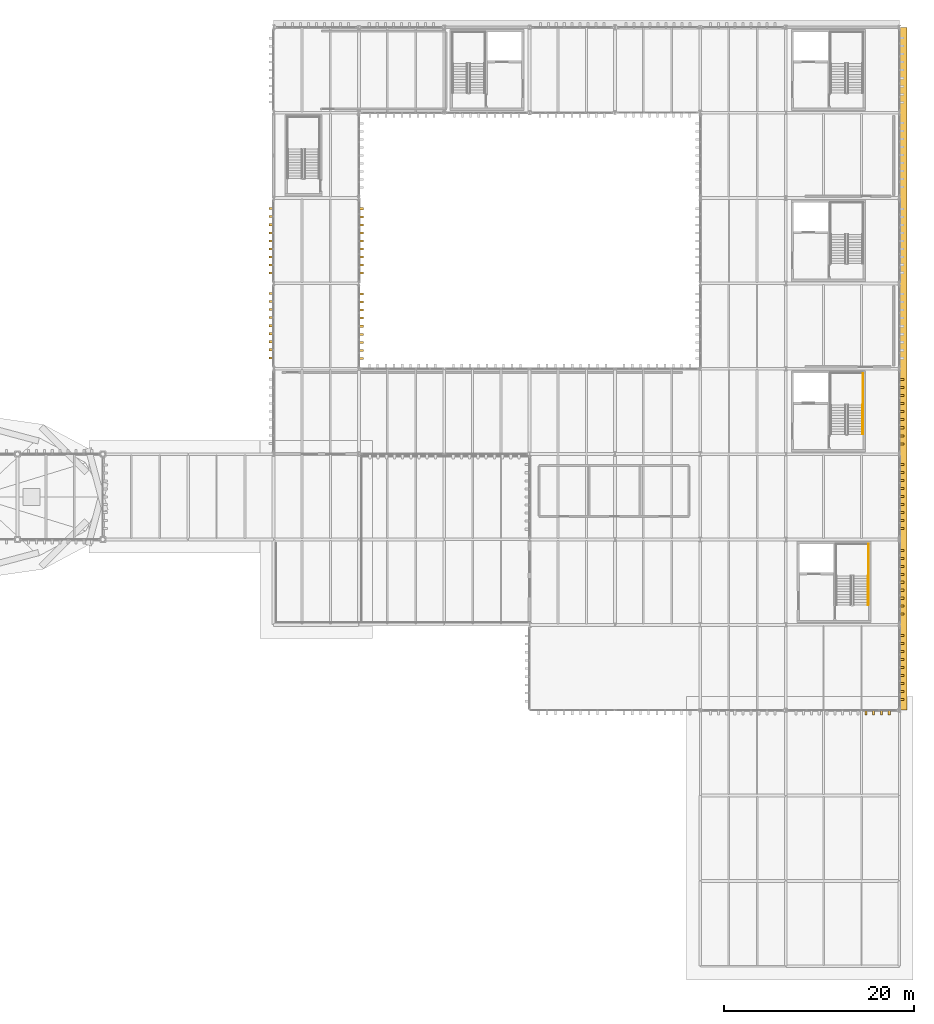
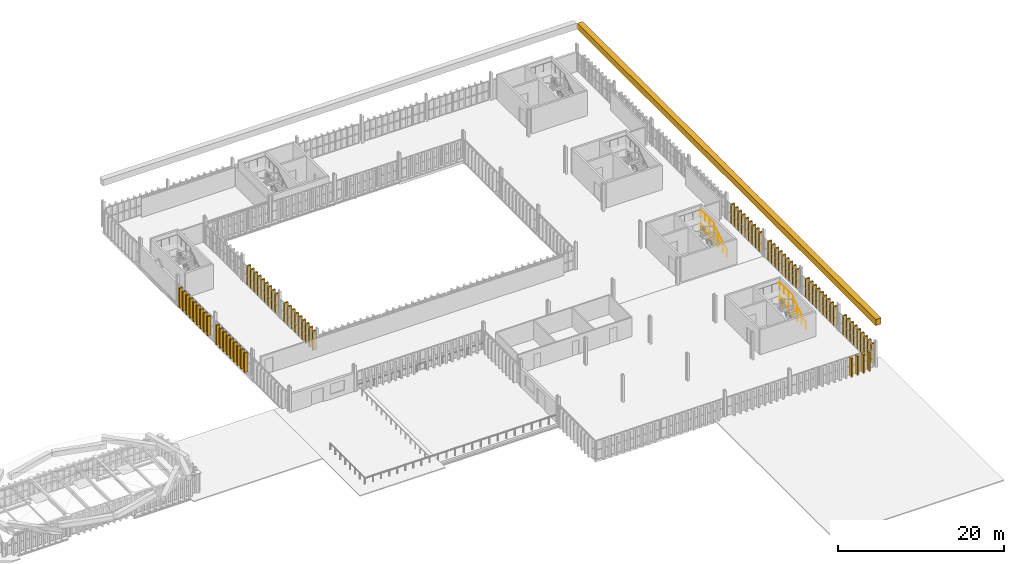
# One storey, part 98 of 102: 76 shading devices, 6 railings, 1 covering.
"""IFC4 building model written with IfcOpenShell, lengths in metres."""

from ifc_helpers import new_model, si_unit, direction, frame, origin, origin_2d, place, context, subcontext, project, spatial, rectangle, circle, extrude, material, layer, layer_set, type_object, element, save


model = new_model("IFC4")

# Units and contexts
model_context = context("Model", 3, precision=1e-05, world=origin(), true_north=direction((0.0, 1.0)))
body_context = subcontext(model_context, "Body", "Model", "MODEL_VIEW")
ifc_project = project(units=[si_unit("LENGTHUNIT", "METRE"), si_unit("AREAUNIT", "SQUARE_METRE"), si_unit("VOLUMEUNIT", "CUBIC_METRE"), si_unit("PLANEANGLEUNIT", "RADIAN"), si_unit("MASSUNIT", "GRAM", prefix="KILO")], contexts=[model_context])

# Site, building, storey
site_placement = place(None, origin())
site = spatial("IfcSite", under=ifc_project, at=site_placement, CompositionType="ELEMENT")
building_placement = place(site_placement, origin())
building = spatial("IfcBuilding", under=site, at=building_placement, Name="Barlavento Convention Centre", CompositionType="ELEMENT")
storey_placement = place(building_placement, frame((0.0, 0.0, 22.800048828125)))
storey = spatial("IfcBuildingStorey", under=building, at=storey_placement, Name="L04", CompositionType="ELEMENT", Elevation=22.800048828125)

# Covering
ifc_material_1 = material(Name="Macau dark grey granite cladding", Category="masonry")
ifc_layer = layer(ifc_material_1, 0.050048828125)
ifc_layer_set = layer_set([ifc_layer], Name="ARC-COV-CLAD-GRANITE")
covering_type = type_object("IfcCoveringType", Name="ARC-COV-CLAD-GRANITE", PredefinedType="CLADDING", material=ifc_layer_set)
covering_placement = place(storey_placement, frame((192.39990234375, 63.0, 6.10009765625), z_axis=(0.0, 0.0, 1.0), x_axis=(1.0, 0.0, 0.0)))
element("IfcCovering", 1, at=covering_placement, inside=storey, type_object=covering_type, Name="Postmodern stepped stone cornice band CLD01", PredefinedType="CLADDING", context=body_context, shape_type="SweptSolid", body=[
    extrude(rectangle(XDim=0.75, YDim=72.0, at=origin_2d()), origin(), (0.0, 0.0, 1.0), 0.89990234375),
])

# Railings
ifc_material_2 = material(Name="Stainless steel and laminated glass balustrade", Category="steel")
railing_type_1 = type_object("IfcRailingType", Name="ARC-RAL-BAL-1100", PredefinedType="BALUSTRADE", material=ifc_material_2)
railing_1_placement = place(storey_placement, frame((188.14990234375, 59.169921875, 2.0)))
element("IfcRailing", 2, at=railing_1_placement, inside=storey, type_object=railing_type_1, Name="L04 landing guard GR01", PredefinedType="BALUSTRADE", context=body_context, shape_type="SweptSolid", body=[
    extrude(circle(Radius=0.02392578125, at=origin_2d()), frame((0.0, 0.0, 1.076171875), z_axis=(0.0, 1.0, 0.0), x_axis=(-1.0, 0.0, 0.0)), (0.0, 0.0, 1.0), 3.360107421875),
    extrude(circle(Radius=0.02099609375, at=origin_2d()), origin(), (0.0, 0.0, 1.0), 1.052001953125),
    extrude(circle(Radius=0.02099609375, at=origin_2d()), frame((0.0, 1.1201171875, 0.0)), (0.0, 0.0, 1.0), 1.052001953125),
    extrude(circle(Radius=0.02099609375, at=origin_2d()), frame((0.0, 2.239990234375, 0.0)), (0.0, 0.0, 1.0), 1.052001953125),
    extrude(circle(Radius=0.02099609375, at=origin_2d()), frame((0.0, 3.360107421875, 0.0)), (0.0, 0.0, 1.0), 1.052001953125),
])
railing_2_placement = place(storey_placement, frame((188.14990234375, 56.114990234375, 0.0)))
element("IfcRailing", 3, at=railing_2_placement, inside=storey, type_object=railing_type_1, Name="L04 stairwell perimeter guard GR01", PredefinedType="BALUSTRADE", context=body_context, shape_type="SweptSolid", body=[
    extrude(circle(Radius=0.02392578125, at=origin_2d()), frame((0.0, 0.0, 1.076171875), z_axis=(0.0, 1.0, 0.0), x_axis=(-1.0, 0.0, 0.0)), (0.0, 0.0, 1.0), 6.4150390625),
    extrude(circle(Radius=0.02099609375, at=origin_2d()), origin(), (0.0, 0.0, 1.0), 1.052001953125),
    extrude(circle(Radius=0.02099609375, at=origin_2d()), frame((0.0, 1.069091796875, 0.0)), (0.0, 0.0, 1.0), 1.052001953125),
    extrude(circle(Radius=0.02099609375, at=origin_2d()), frame((0.0, 2.138427734375, 0.0)), (0.0, 0.0, 1.0), 1.052001953125),
    extrude(circle(Radius=0.02099609375, at=origin_2d()), frame((0.0, 3.20751953125, 0.0)), (0.0, 0.0, 1.0), 1.052001953125),
    extrude(circle(Radius=0.02099609375, at=origin_2d()), frame((0.0, 4.276611328125, 0.0)), (0.0, 0.0, 1.0), 1.052001953125),
    extrude(circle(Radius=0.02099609375, at=origin_2d()), frame((0.0, 5.345947265625, 0.0)), (0.0, 0.0, 1.0), 1.052001953125),
    extrude(circle(Radius=0.02099609375, at=origin_2d()), frame((0.0, 6.4150390625, 0.0)), (0.0, 0.0, 1.0), 1.052001953125),
])
railing_3_placement = place(storey_placement, frame((188.75, 41.169921875, 2.0)))
element("IfcRailing", 4, at=railing_3_placement, inside=storey, type_object=railing_type_1, Name="L04 landing guard GR01", PredefinedType="BALUSTRADE", context=body_context, shape_type="SweptSolid", body=[
    extrude(circle(Radius=0.02392578125, at=origin_2d()), frame((0.0, 0.0, 1.076171875), z_axis=(0.0, 1.0, 0.0), x_axis=(-1.0, 0.0, 0.0)), (0.0, 0.0, 1.0), 3.360107421875),
    extrude(circle(Radius=0.02099609375, at=origin_2d()), origin(), (0.0, 0.0, 1.0), 1.052001953125),
    extrude(circle(Radius=0.02099609375, at=origin_2d()), frame((0.0, 1.1201171875, 0.0)), (0.0, 0.0, 1.0), 1.052001953125),
    extrude(circle(Radius=0.02099609375, at=origin_2d()), frame((0.0, 2.239990234375, 0.0)), (0.0, 0.0, 1.0), 1.052001953125),
    extrude(circle(Radius=0.02099609375, at=origin_2d()), frame((0.0, 3.360107421875, 0.0)), (0.0, 0.0, 1.0), 1.052001953125),
])
railing_4_placement = place(storey_placement, frame((188.75, 38.114990234375, 0.0)))
element("IfcRailing", 5, at=railing_4_placement, inside=storey, type_object=railing_type_1, Name="L04 stairwell perimeter guard GR01", PredefinedType="BALUSTRADE", context=body_context, shape_type="SweptSolid", body=[
    extrude(circle(Radius=0.02392578125, at=origin_2d()), frame((0.0, 0.0, 1.076171875), z_axis=(0.0, 1.0, 0.0), x_axis=(-1.0, 0.0, 0.0)), (0.0, 0.0, 1.0), 6.4150390625),
    extrude(circle(Radius=0.02099609375, at=origin_2d()), origin(), (0.0, 0.0, 1.0), 1.052001953125),
    extrude(circle(Radius=0.02099609375, at=origin_2d()), frame((0.0, 1.069091796875, 0.0)), (0.0, 0.0, 1.0), 1.052001953125),
    extrude(circle(Radius=0.02099609375, at=origin_2d()), frame((0.0, 2.138427734375, 0.0)), (0.0, 0.0, 1.0), 1.052001953125),
    extrude(circle(Radius=0.02099609375, at=origin_2d()), frame((0.0, 3.20751953125, 0.0)), (0.0, 0.0, 1.0), 1.052001953125),
    extrude(circle(Radius=0.02099609375, at=origin_2d()), frame((0.0, 4.276611328125, 0.0)), (0.0, 0.0, 1.0), 1.052001953125),
    extrude(circle(Radius=0.02099609375, at=origin_2d()), frame((0.0, 5.345947265625, 0.0)), (0.0, 0.0, 1.0), 1.052001953125),
    extrude(circle(Radius=0.02099609375, at=origin_2d()), frame((0.0, 6.4150390625, 0.0)), (0.0, 0.0, 1.0), 1.052001953125),
])
ifc_material_3 = material(Name="Brushed stainless steel tubular handrail", Category="steel")
railing_type_2 = type_object("IfcRailingType", Name="ARC-RAL-HR-900", PredefinedType="HANDRAIL", material=ifc_material_3)
for number, where, name in (
    (6, (188.10009765625, 56.090087890625, 0.16650390625), "L04 ST05 stair handrail 1"),
    (7, (188.699951171875, 38.090087890625, 0.16650390625), "L04 ST06 stair handrail 1"),
):
    element("IfcRailing", number, at=place(storey_placement, frame(where)), inside=storey, type_object=railing_type_2, Name=name, PredefinedType="HANDRAIL", context=body_context, shape_type="SweptSolid", body=[
        extrude(circle(Radius=0.02392578125, at=origin_2d()), frame((0.0, 0.0, 0.8759765625), z_axis=(0.0, 0.859260807169, 0.511537745687), x_axis=(-1.0, 0.0, 0.0)), (0.0, 0.0, 1.0), 3.584228515625),
        extrude(circle(Radius=0.02099609375, at=origin_2d()), origin(), (0.0, 0.0, 1.0), 0.851806640625),
        extrude(circle(Radius=0.02099609375, at=origin_2d()), frame((0.0, 1.026611328125, 0.611083984375)), (0.0, 0.0, 1.0), 0.851806640625),
        extrude(circle(Radius=0.02099609375, at=origin_2d()), frame((0.0, 2.05322265625, 1.222412109375)), (0.0, 0.0, 1.0), 0.851806640625),
        extrude(circle(Radius=0.02099609375, at=origin_2d()), frame((0.0, 3.079833984375, 1.83349609375)), (0.0, 0.0, 1.0), 0.851806640625),
    ])

# Shading devices
ifc_material_4 = material(Name="PVDF white extruded aluminium", Category="aluminium")
shading_device_type = type_object("IfcShadingDeviceType", Name="ARC-SHD-FIN-480", PredefinedType="USERDEFINED", material=ifc_material_4)
for number, where, z_axis, x_axis, name in (
    (8, (192.239990234375, 28.10546875, 0.0), (0.0, 0.0, 1.0), (0.0, 1.0, 0.0), "White vertical solar shading fin VF01"),
    (9, (192.239990234375, 28.950927734375, 0.0), (0.0, 0.0, 1.0), (0.0, 1.0, 0.0), "White vertical solar shading fin VF01"),
    (10, (192.239990234375, 29.79638671875, 0.0), (0.0, 0.0, 1.0), (0.0, 1.0, 0.0), "White vertical solar shading fin VF01"),
    (11, (192.239990234375, 30.64208984375, 0.0), (0.0, 0.0, 1.0), (0.0, 1.0, 0.0), "White vertical solar shading fin VF01"),
    (12, (192.239990234375, 31.487548828125, 0.0), (0.0, 0.0, 1.0), (0.0, 1.0, 0.0), "White vertical solar shading fin VF01"),
    (13, (192.239990234375, 32.3330078125, 0.0), (0.0, 0.0, 1.0), (0.0, 1.0, 0.0), "White vertical solar shading fin VF01"),
    (14, (192.239990234375, 33.178466796875, 0.0), (0.0, 0.0, 1.0), (0.0, 1.0, 0.0), "White vertical solar shading fin VF01"),
    (15, (192.239990234375, 34.02392578125, 0.0), (0.0, 0.0, 1.0), (0.0, 1.0, 0.0), "White vertical solar shading fin VF01"),
    (16, (192.239990234375, 34.869384765625, 0.0), (0.0, 0.0, 1.0), (0.0, 1.0, 0.0), "White vertical solar shading fin VF01"),
    (17, (192.239990234375, 37.12548828125, 0.0), (0.0, 0.0, 1.0), (0.0, 1.0, 0.0), "White vertical solar shading fin VF01"),
    (18, (192.239990234375, 37.966064453125, 0.0), (0.0, 0.0, 1.0), (0.0, 1.0, 0.0), "White vertical solar shading fin VF01"),
    (19, (192.239990234375, 38.806396484375, 0.0), (0.0, 0.0, 1.0), (0.0, 1.0, 0.0), "White vertical solar shading fin VF01"),
    (20, (192.239990234375, 39.64697265625, 0.0), (0.0, 0.0, 1.0), (0.0, 1.0, 0.0), "White vertical solar shading fin VF01"),
    (21, (192.239990234375, 40.487548828125, 0.0), (0.0, 0.0, 1.0), (0.0, 1.0, 0.0), "White vertical solar shading fin VF01"),
    (22, (192.239990234375, 41.327880859375, 0.0), (0.0, 0.0, 1.0), (0.0, 1.0, 0.0), "White vertical solar shading fin VF01"),
    (23, (192.239990234375, 42.16845703125, 0.0), (0.0, 0.0, 1.0), (0.0, 1.0, 0.0), "White vertical solar shading fin VF01"),
    (24, (192.239990234375, 43.009033203125, 0.0), (0.0, 0.0, 1.0), (0.0, 1.0, 0.0), "White vertical solar shading fin VF01"),
    (25, (192.239990234375, 43.849609375, 0.0), (0.0, 0.0, 1.0), (0.0, 1.0, 0.0), "White vertical solar shading fin VF01"),
    (26, (192.239990234375, 46.156005859375, 0.0), (0.0, 0.0, 1.0), (0.0, 1.0, 0.0), "White vertical solar shading fin VF01"),
    (27, (192.239990234375, 47.001953125, 0.0), (0.0, 0.0, 1.0), (0.0, 1.0, 0.0), "White vertical solar shading fin VF01"),
    (28, (192.239990234375, 47.847900390625, 0.0), (0.0, 0.0, 1.0), (0.0, 1.0, 0.0), "White vertical solar shading fin VF01"),
    (29, (192.239990234375, 48.694091796875, 0.0), (0.0, 0.0, 1.0), (0.0, 1.0, 0.0), "White vertical solar shading fin VF01"),
    (30, (192.239990234375, 49.5400390625, 0.0), (0.0, 0.0, 1.0), (0.0, 1.0, 0.0), "White vertical solar shading fin VF01"),
    (31, (192.239990234375, 50.385986328125, 0.0), (0.0, 0.0, 1.0), (0.0, 1.0, 0.0), "White vertical solar shading fin VF01"),
    (32, (192.239990234375, 51.23193359375, 0.0), (0.0, 0.0, 1.0), (0.0, 1.0, 0.0), "White vertical solar shading fin VF01"),
    (33, (192.239990234375, 52.077880859375, 0.0), (0.0, 0.0, 1.0), (0.0, 1.0, 0.0), "White vertical solar shading fin VF01"),
    (34, (192.239990234375, 52.924072265625, 0.0), (0.0, 0.0, 1.0), (0.0, 1.0, 0.0), "White vertical solar shading fin VF01"),
    (35, (192.239990234375, 55.0810546875, 0.0), (0.0, 0.0, 1.0), (0.0, 1.0, 0.0), "White vertical solar shading fin VF01"),
    (36, (192.239990234375, 55.931884765625, 0.0), (0.0, 0.0, 1.0), (0.0, 1.0, 0.0), "White vertical solar shading fin VF01"),
    (37, (192.239990234375, 56.782958984375, 0.0), (0.0, 0.0, 1.0), (0.0, 1.0, 0.0), "White vertical solar shading fin VF01"),
    (38, (192.239990234375, 57.634033203125, 0.0), (0.0, 0.0, 1.0), (0.0, 1.0, 0.0), "White vertical solar shading fin VF01"),
    (39, (192.239990234375, 58.485107421875, 0.0), (0.0, 0.0, 1.0), (0.0, 1.0, 0.0), "White vertical solar shading fin VF01"),
    (40, (192.239990234375, 59.3359375, 0.0), (0.0, 0.0, 1.0), (0.0, 1.0, 0.0), "White vertical solar shading fin VF01"),
    (41, (192.239990234375, 60.18701171875, 0.0), (0.0, 0.0, 1.0), (0.0, 1.0, 0.0), "White vertical solar shading fin VF01"),
    (42, (192.239990234375, 61.0380859375, 0.0), (0.0, 0.0, 1.0), (0.0, 1.0, 0.0), "White vertical solar shading fin VF01"),
    (43, (192.239990234375, 61.888916015625, 0.0), (0.0, 0.0, 1.0), (0.0, 1.0, 0.0), "White vertical solar shading fin VF01"),
    (44, (135.239990234375, 64.0810546875, 0.0), (0.0, 0.0, 1.0), (0.0, 1.0, 0.0), "White vertical solar shading fin VF01"),
    (45, (135.239990234375, 64.931884765625, 0.0), (0.0, 0.0, 1.0), (0.0, 1.0, 0.0), "White vertical solar shading fin VF01"),
    (46, (135.239990234375, 65.782958984375, 0.0), (0.0, 0.0, 1.0), (0.0, 1.0, 0.0), "White vertical solar shading fin VF01"),
    (47, (135.239990234375, 66.634033203125, 0.0), (0.0, 0.0, 1.0), (0.0, 1.0, 0.0), "White vertical solar shading fin VF01"),
    (48, (135.239990234375, 67.485107421875, 0.0), (0.0, 0.0, 1.0), (0.0, 1.0, 0.0), "White vertical solar shading fin VF01"),
    (49, (135.239990234375, 68.3359375, 0.0), (0.0, 0.0, 1.0), (0.0, 1.0, 0.0), "White vertical solar shading fin VF01"),
    (50, (135.239990234375, 69.18701171875, 0.0), (0.0, 0.0, 1.0), (0.0, 1.0, 0.0), "White vertical solar shading fin VF01"),
    (51, (135.239990234375, 70.0380859375, 0.0), (0.0, 0.0, 1.0), (0.0, 1.0, 0.0), "White vertical solar shading fin VF01"),
    (52, (135.239990234375, 70.888916015625, 0.0), (0.0, 0.0, 1.0), (0.0, 1.0, 0.0), "White vertical solar shading fin VF01"),
    (53, (135.239990234375, 73.10546875, 0.0), (0.0, 0.0, 1.0), (0.0, 1.0, 0.0), "White vertical solar shading fin VF01"),
    (54, (135.239990234375, 73.950927734375, 0.0), (0.0, 0.0, 1.0), (0.0, 1.0, 0.0), "White vertical solar shading fin VF01"),
    (55, (135.239990234375, 74.79638671875, 0.0), (0.0, 0.0, 1.0), (0.0, 1.0, 0.0), "White vertical solar shading fin VF01"),
    (56, (135.239990234375, 75.64208984375, 0.0), (0.0, 0.0, 1.0), (0.0, 1.0, 0.0), "White vertical solar shading fin VF01"),
    (57, (135.239990234375, 76.487548828125, 0.0), (0.0, 0.0, 1.0), (0.0, 1.0, 0.0), "White vertical solar shading fin VF01"),
    (58, (135.239990234375, 77.3330078125, 0.0), (0.0, 0.0, 1.0), (0.0, 1.0, 0.0), "White vertical solar shading fin VF01"),
    (59, (135.239990234375, 78.178466796875, 0.0), (0.0, 0.0, 1.0), (0.0, 1.0, 0.0), "White vertical solar shading fin VF01"),
    (60, (135.239990234375, 79.02392578125, 0.0), (0.0, 0.0, 1.0), (0.0, 1.0, 0.0), "White vertical solar shading fin VF01"),
    (61, (135.239990234375, 79.869384765625, 0.0), (0.0, 0.0, 1.0), (0.0, 1.0, 0.0), "White vertical solar shading fin VF01"),
    (62, (188.4599609375, 26.760009765625, 0.0), (0.0, 0.0, 1.0), (1.0, 0.0, 0.0), "White vertical solar shading fin VF01"),
    (63, (189.280029296875, 26.760009765625, 0.0), (0.0, 0.0, 1.0), (1.0, 0.0, 0.0), "White vertical solar shading fin VF01"),
    (64, (190.10009765625, 26.760009765625, 0.0), (0.0, 0.0, 1.0), (1.0, 0.0, 0.0), "White vertical solar shading fin VF01"),
    (65, (190.919921875, 26.760009765625, 0.0), (0.0, 0.0, 1.0), (1.0, 0.0, 0.0), "White vertical solar shading fin VF01"),
    (66, (125.760009765625, 64.156005859375, 0.0), (0.0, 0.0, 1.0), (0.0, 1.0, 0.0), "White vertical solar shading fin VF01"),
    (67, (125.760009765625, 65.001953125, 0.0), (0.0, 0.0, 1.0), (0.0, 1.0, 0.0), "White vertical solar shading fin VF01"),
    (68, (125.760009765625, 65.847900390625, 0.0), (0.0, 0.0, 1.0), (0.0, 1.0, 0.0), "White vertical solar shading fin VF01"),
    (69, (125.760009765625, 66.694091796875, 0.0), (0.0, 0.0, 1.0), (0.0, 1.0, 0.0), "White vertical solar shading fin VF01"),
    (70, (125.760009765625, 67.5400390625, 0.0), (0.0, 0.0, 1.0), (0.0, 1.0, 0.0), "White vertical solar shading fin VF01"),
    (71, (125.760009765625, 68.385986328125, 0.0), (0.0, 0.0, 1.0), (0.0, 1.0, 0.0), "White vertical solar shading fin VF01"),
    (72, (125.760009765625, 69.23193359375, 0.0), (0.0, 0.0, 1.0), (0.0, 1.0, 0.0), "White vertical solar shading fin VF01"),
    (73, (125.760009765625, 70.077880859375, 0.0), (0.0, 0.0, 1.0), (0.0, 1.0, 0.0), "White vertical solar shading fin VF01"),
    (74, (125.760009765625, 70.924072265625, 0.0), (0.0, 0.0, 1.0), (0.0, 1.0, 0.0), "White vertical solar shading fin VF01"),
    (75, (125.760009765625, 73.0810546875, 0.0), (0.0, 0.0, 1.0), (0.0, 1.0, 0.0), "White vertical solar shading fin VF01"),
    (76, (125.760009765625, 73.931884765625, 0.0), (0.0, 0.0, 1.0), (0.0, 1.0, 0.0), "White vertical solar shading fin VF01"),
    (77, (125.760009765625, 74.782958984375, 0.0), (0.0, 0.0, 1.0), (0.0, 1.0, 0.0), "White vertical solar shading fin VF01"),
    (78, (125.760009765625, 75.634033203125, 0.0), (0.0, 0.0, 1.0), (0.0, 1.0, 0.0), "White vertical solar shading fin VF01"),
    (79, (125.760009765625, 76.485107421875, 0.0), (0.0, 0.0, 1.0), (0.0, 1.0, 0.0), "White vertical solar shading fin VF01"),
    (80, (125.760009765625, 77.3359375, 0.0), (0.0, 0.0, 1.0), (0.0, 1.0, 0.0), "White vertical solar shading fin VF01"),
    (81, (125.760009765625, 78.18701171875, 0.0), (0.0, 0.0, 1.0), (0.0, 1.0, 0.0), "White vertical solar shading fin VF01"),
    (82, (125.760009765625, 79.0380859375, 0.0), (0.0, 0.0, 1.0), (0.0, 1.0, 0.0), "White vertical solar shading fin VF01"),
    (83, (125.760009765625, 79.888916015625, 0.0), (0.0, 0.0, 1.0), (0.0, 1.0, 0.0), "White vertical solar shading fin VF01"),
):
    element("IfcShadingDevice", number, at=place(storey_placement, frame(where, z_axis=z_axis, x_axis=x_axis)), inside=storey, type_object=shading_device_type, Name=name, ObjectType="FIN", PredefinedType="USERDEFINED", context=body_context, shape_type="SweptSolid", body=[
        extrude(rectangle(XDim=0.219970703125, YDim=0.52001953125, at=origin_2d()), origin(), (0.0, 0.0, 1.0), 2.85009765625),
    ])

save(model, "model.ifc")
